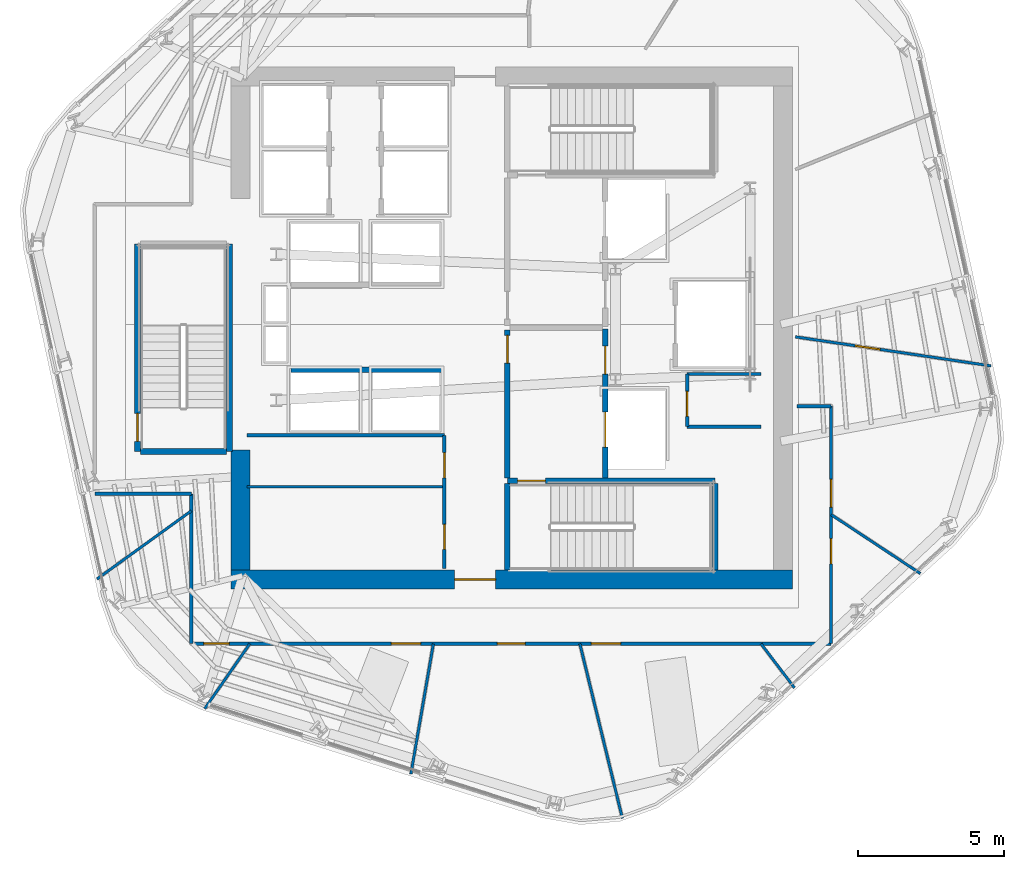
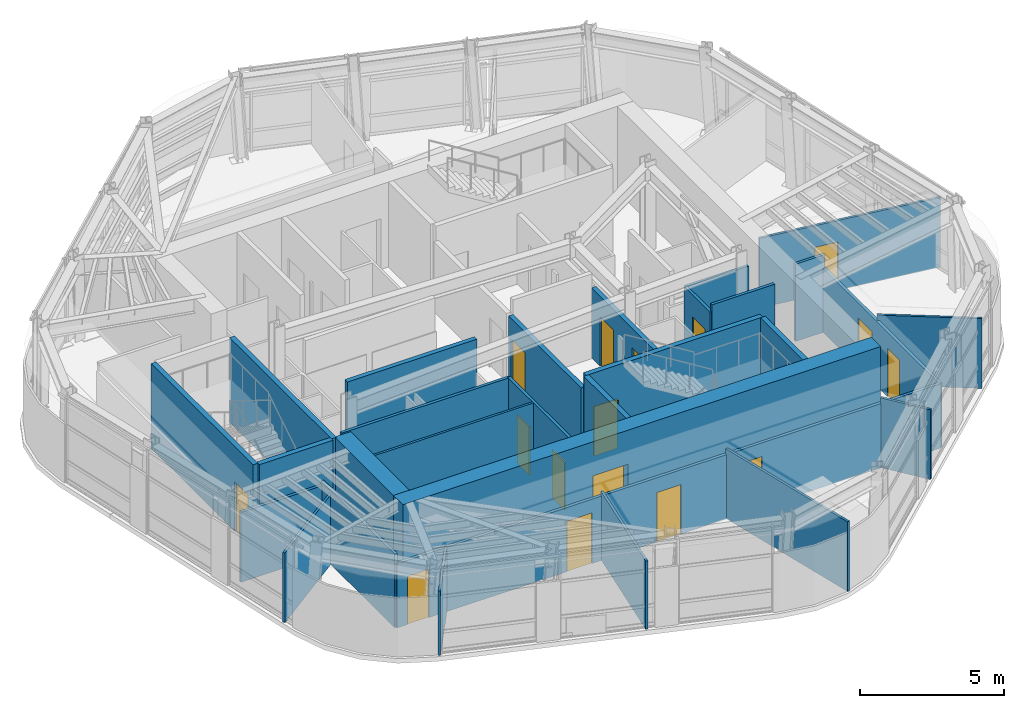
# One storey, part 8 of 15: 29 walls, 16 doors, 16 openings.
"""IFC4 building model written with IfcOpenShell, lengths in metres."""

from ifc_helpers import new_model, si_unit, direction, frame, frame_2d, origin, place, context, subcontext, project, spatial, rectangle, extrude, material, layer, layer_set, type_object, element, fill, save


model = new_model("IFC4")

# Units and contexts
model_context = context("Model", 3, precision=1e-05, world=origin(), true_north=direction((0.0, 1.0)))
body_context = subcontext(model_context, "Body", "Model", "MODEL_VIEW")
ifc_project = project(units=[si_unit("LENGTHUNIT", "METRE"), si_unit("AREAUNIT", "SQUARE_METRE"), si_unit("VOLUMEUNIT", "CUBIC_METRE"), si_unit("PLANEANGLEUNIT", "RADIAN"), si_unit("MASSUNIT", "GRAM", prefix="KILO")], contexts=[model_context])

# Site, building, storey
site_placement = place(None, origin())
site = spatial("IfcSite", under=ifc_project, at=site_placement, CompositionType="ELEMENT")
building_placement = place(site_placement, origin())
building = spatial("IfcBuilding", under=site, at=building_placement, Name="Valkerne Bourse Tower", CompositionType="ELEMENT")
storey_placement = place(building_placement, frame((0.0, 0.0, 205.60009765625)))
storey = spatial("IfcBuildingStorey", under=building, at=storey_placement, Name="L52", CompositionType="ELEMENT", Elevation=205.60009765625)

# Wall, opening, door
ifc_material_1 = material(Name="Concrete C55/67", Category="concrete")
ifc_layer_1 = layer(ifc_material_1, 0.64990234375)
ifc_layer_set_1 = layer_set([ifc_layer_1], Name="Concrete C55/67")
wall_type_1 = type_object("IfcWallType", Name="W-CORE-650", PredefinedType="SHEAR", material=ifc_layer_set_1)
wall_1_placement = place(storey_placement, frame((37.199951171875, 18.27490234375, 0.0), z_axis=(0.0, 0.0, 1.0), x_axis=(1.0, 0.0, 0.0)))
wall_1 = element("IfcWall", 1, at=wall_1_placement, inside=storey, type_object=wall_type_1, Name="L52 Core Shear Wall SOUTH", PredefinedType="SHEAR", context=body_context, shape_type="SweptSolid", body=[
    extrude(rectangle(XDim=19.199951171875, YDim=0.64990234375, at=frame_2d((9.60009765625, 0.0))), origin(), (0.0, 0.0, 1.0), 3.599853515625),
])
opening_1_placement = place(wall_1_placement, frame((7.64990234375, 0.0, 0.0)))
opening_1 = element("IfcOpeningElement", 2, at=opening_1_placement, cuts=wall_1, Name="Opening D-PL-1400", PredefinedType="OPENING", context=body_context, shape_type="SweptSolid", body=[
    extrude(rectangle(XDim=1.39990234375, YDim=2.14990234375, at=frame_2d((0.699951171875, 1.074951171875))), frame((0.0, 0.3349609375, 0.0), z_axis=(0.0, -1.0, 0.0), x_axis=(1.0, 0.0, 0.0)), (0.0, 0.0, 1.0), 0.669921875),
])
ifc_material_2 = material(Name="Galvanised Painted Steel", Category="steel")
door_type_1 = type_object("IfcDoorType", Name="DR-PLT-1400", OperationType="DOUBLE_DOOR_SINGLE_SWING", PredefinedType="DOOR", material=ifc_material_2)
door_1_placement = place(opening_1_placement, origin())
door_1 = element("IfcDoor", 3, at=door_1_placement, inside=storey, type_object=door_type_1, Name="L52 South Passenger Lift Hall Fire Door", OperationType="DOUBLE_DOOR_SINGLE_SWING", OverallHeight=2.14990234375, OverallWidth=1.39990234375, PredefinedType="DOOR", context=body_context, shape_type="SweptSolid", body=[
    extrude(rectangle(XDim=1.39990234375, YDim=2.14990234375, at=frame_2d((0.699951171875, 1.074951171875))), frame((0.0, 0.02490234375, 0.0), z_axis=(0.0, -1.0, 0.0), x_axis=(1.0, 0.0, 0.0)), (0.0, 0.0, 1.0), 0.050048828125),
])
fill(opening_1, door_1)

# Wall
wall_2_placement = place(storey_placement, frame((37.52490234375, 18.60009765625, 0.0), z_axis=(0.0, 0.0, 1.0), x_axis=(0.0, 1.0, 0.0)))
element("IfcWall", 4, at=wall_2_placement, inside=storey, type_object=wall_type_1, Name="L52 Core Shear Wall WEST-S", PredefinedType="SHEAR", context=body_context, shape_type="SweptSolid", body=[
    extrude(rectangle(XDim=4.099853515625, YDim=0.64990234375, at=frame_2d((2.0498046875, 0.0))), origin(), (0.0, 0.0, 1.0), 3.599853515625),
])

# Wall, openings, doors
ifc_material_3 = material(Name="Gypsum Board Steel-Stud Partition", Category="steel")
ifc_layer_2 = layer(ifc_material_3, 0.117919921875)
ifc_layer_set_2 = layer_set([ifc_layer_2], Name="Gypsum Board Steel-Stud Partition")
wall_type_2 = type_object("IfcWallType", Name="W-CORR-140", PredefinedType="PARTITIONING", material=ifc_layer_set_2)
wall_3_placement = place(storey_placement, frame((44.5, 18.64990234375, 0.0), z_axis=(0.0, 0.0, 1.0), x_axis=(0.0, 1.0, 0.0)))
wall_3 = element("IfcWall", 5, at=wall_3_placement, inside=storey, type_object=wall_type_2, Name="L52 LV7 Low-Bank East Wall", PredefinedType="PARTITIONING", context=body_context, shape_type="SweptSolid", body=[
    extrude(rectangle(XDim=4.550048828125, YDim=0.117919921875, at=frame_2d((2.27490234375, 0.0))), origin(), (0.0, 0.0, 1.0), 3.2998046875),
])
opening_2_placement = place(wall_3_placement, frame((0.64990234375, 0.0, 0.0)))
opening_2 = element("IfcOpeningElement", 6, at=opening_2_placement, cuts=wall_3, Name="Opening D-WC-900", PredefinedType="OPENING", context=body_context, shape_type="SweptSolid", body=[
    extrude(rectangle(XDim=0.860107421875, YDim=2.050048828125, at=frame_2d((0.43017578125, 1.02490234375))), frame((0.0, 0.06884765625, 0.0), z_axis=(0.0, -1.0, 0.0), x_axis=(1.0, 0.0, 0.0)), (0.0, 0.0, 1.0), 0.137939453125),
])
opening_3_placement = place(wall_3_placement, frame((3.10009765625, 0.0, 0.0)))
opening_3 = element("IfcOpeningElement", 7, at=opening_3_placement, cuts=wall_3, Name="Opening D-WC-900", PredefinedType="OPENING", context=body_context, shape_type="SweptSolid", body=[
    extrude(rectangle(XDim=0.860107421875, YDim=2.050048828125, at=frame_2d((0.43017578125, 1.02490234375))), frame((0.0, 0.06884765625, 0.0), z_axis=(0.0, -1.0, 0.0), x_axis=(1.0, 0.0, 0.0)), (0.0, 0.0, 1.0), 0.137939453125),
])
ifc_material_4 = material(Name="Architectural White Oak Timber", Category="wood")
door_type_2 = type_object("IfcDoorType", Name="DR-WC-900", OperationType="NOTDEFINED", PredefinedType="DOOR", material=ifc_material_4)
door_2_placement = place(opening_2_placement, origin())
door_2 = element("IfcDoor", 8, at=door_2_placement, inside=storey, type_object=door_type_2, Name="L52 Reprographics Office Door", OperationType="SINGLE_SWING_LEFT", OverallHeight=2.050048828125, OverallWidth=0.860107421875, PredefinedType="DOOR", context=body_context, shape_type="SweptSolid", body=[
    extrude(rectangle(XDim=0.860107421875, YDim=2.050048828125, at=frame_2d((0.43017578125, 1.02490234375))), frame((0.0, 0.02490234375, 0.0), z_axis=(0.0, -1.0, 0.0), x_axis=(1.0, 0.0, 0.0)), (0.0, 0.0, 1.0), 0.050048828125),
])
fill(opening_2, door_2)
door_3_placement = place(opening_3_placement, origin())
door_3 = element("IfcDoor", 9, at=door_3_placement, inside=storey, type_object=door_type_2, Name="L52 First Aid Clinic Door", OperationType="SINGLE_SWING_LEFT", OverallHeight=2.050048828125, OverallWidth=0.860107421875, PredefinedType="DOOR", context=body_context, shape_type="SweptSolid", body=[
    extrude(rectangle(XDim=0.860107421875, YDim=2.050048828125, at=frame_2d((0.43017578125, 1.02490234375))), frame((0.0, 0.02490234375, 0.0), z_axis=(0.0, -1.0, 0.0), x_axis=(1.0, 0.0, 0.0)), (0.0, 0.0, 1.0), 0.050048828125),
])
fill(opening_3, door_3)

# Wall
wall_4_placement = place(storey_placement, frame((37.75, 23.199951171875, 0.0), z_axis=(0.0, 0.0, 1.0), x_axis=(1.0, 0.0, 0.0)))
element("IfcWall", 10, at=wall_4_placement, inside=storey, type_object=wall_type_2, Name="L52 LV7 Low-Bank North Wall", PredefinedType="PARTITIONING", context=body_context, shape_type="SweptSolid", body=[
    extrude(rectangle(XDim=6.75, YDim=0.117919921875, at=frame_2d((3.375, 0.0))), origin(), (0.0, 0.0, 1.0), 3.2998046875),
])

# Wall, opening, door
wall_5_placement = place(storey_placement, frame((52.800048828125, 23.5, 0.0), z_axis=(0.0, 0.0, 1.0), x_axis=(0.0, 1.0, 0.0)))
wall_5 = element("IfcWall", 11, at=wall_5_placement, inside=storey, type_object=wall_type_2, Name="L52 Core SE North-Bay West Wall", PredefinedType="PARTITIONING", context=body_context, shape_type="SweptSolid", body=[
    extrude(rectangle(XDim=1.800048828125, YDim=0.117919921875, at=frame_2d((0.89990234375, 0.0))), origin(), (0.0, 0.0, 1.0), 2.977783203125),
])
opening_4_placement = place(wall_5_placement, frame((0.35009765625, 0.0, 0.0)))
opening_4 = element("IfcOpeningElement", 12, at=opening_4_placement, cuts=wall_5, Name="Opening D-WC-900", PredefinedType="OPENING", context=body_context, shape_type="SweptSolid", body=[
    extrude(rectangle(XDim=0.860107421875, YDim=2.050048828125, at=frame_2d((0.43017578125, 1.02490234375))), frame((0.0, 0.06884765625, 0.0), z_axis=(0.0, -1.0, 0.0), x_axis=(1.0, 0.0, 0.0)), (0.0, 0.0, 1.0), 0.137939453125),
])
door_4_placement = place(opening_4_placement, origin())
door_4 = element("IfcDoor", 13, at=door_4_placement, inside=storey, type_object=door_type_2, Name="L52 Telecom Closet Door", OperationType="SINGLE_SWING_LEFT", OverallHeight=2.050048828125, OverallWidth=0.860107421875, PredefinedType="DOOR", context=body_context, shape_type="SweptSolid", body=[
    extrude(rectangle(XDim=0.860107421875, YDim=2.050048828125, at=frame_2d((0.43017578125, 1.02490234375))), frame((0.0, 0.02490234375, 0.0), z_axis=(0.0, -1.0, 0.0), x_axis=(1.0, 0.0, 0.0)), (0.0, 0.0, 1.0), 0.050048828125),
])
fill(opening_4, door_4)

# Walls
wall_6_placement = place(storey_placement, frame((52.800048828125, 23.5, 0.0), z_axis=(0.0, 0.0, 1.0), x_axis=(1.0, 0.0, 0.0)))
element("IfcWall", 14, at=wall_6_placement, inside=storey, type_object=wall_type_2, Name="L52 Core SE North-Bay South Wall", PredefinedType="PARTITIONING", context=body_context, shape_type="SweptSolid", body=[
    extrude(rectangle(XDim=2.52001953125, YDim=0.117919921875, at=frame_2d((1.260009765625, 0.0))), origin(), (0.0, 0.0, 1.0), 3.2998046875),
])
wall_7_placement = place(storey_placement, frame((52.800048828125, 25.300048828125, 0.0), z_axis=(0.0, 0.0, 1.0), x_axis=(1.0, 0.0, 0.0)))
element("IfcWall", 15, at=wall_7_placement, inside=storey, type_object=wall_type_2, Name="L52 Core SE North-Bay North Wall", PredefinedType="PARTITIONING", context=body_context, shape_type="SweptSolid", body=[
    extrude(rectangle(XDim=2.52001953125, YDim=0.117919921875, at=frame_2d((1.260009765625, 0.0))), origin(), (0.0, 0.0, 1.0), 2.977783203125),
])
wall_8_placement = place(storey_placement, frame((35.85009765625, 16.080078125, 0.0), z_axis=(0.0, 0.0, 1.0), x_axis=(0.0, 1.0, 0.0)))
element("IfcWall", 16, at=wall_8_placement, inside=storey, type_object=wall_type_2, Name="L52 Corridor Enclosure Wall", PredefinedType="PARTITIONING", context=body_context, shape_type="SweptSolid", body=[
    extrude(rectangle(XDim=5.119873046875, YDim=0.117919921875, at=frame_2d((2.56005859375, 0.0))), origin(), (0.0, 0.0, 1.0), 3.1328125),
])
wall_9_placement = place(storey_placement, frame((35.85009765625, 21.199951171875, 0.0), z_axis=(0.0, 0.0, 1.0), x_axis=(-1.0, 0.0, 0.0)))
element("IfcWall", 17, at=wall_9_placement, inside=storey, type_object=wall_type_2, Name="L52 Corridor Enclosure Wall", PredefinedType="PARTITIONING", context=body_context, shape_type="SweptSolid", body=[
    extrude(rectangle(XDim=3.300048828125, YDim=0.117919921875, at=frame_2d((1.64990234375, 0.0))), origin(), (0.0, 0.0, 1.0), 2.96240234375),
])
wall_10_placement = place(storey_placement, frame((56.56005859375, 24.199951171875, 0.0), z_axis=(0.0, 0.0, 1.0), x_axis=(1.0, 0.0, 0.0)))
element("IfcWall", 18, at=wall_10_placement, inside=storey, type_object=wall_type_2, Name="L52 Corridor Enclosure Wall", PredefinedType="PARTITIONING", context=body_context, shape_type="SweptSolid", body=[
    extrude(rectangle(XDim=1.159912109375, YDim=0.117919921875, at=frame_2d((0.580078125, 0.0))), origin(), (0.0, 0.0, 1.0), 3.27978515625),
])

# Wall, openings, doors
wall_11_placement = place(storey_placement, frame((57.719970703125, 24.199951171875, 0.0), z_axis=(0.0, 0.0, 1.0), x_axis=(0.0, -1.0, 0.0)))
wall_11 = element("IfcWall", 19, at=wall_11_placement, inside=storey, type_object=wall_type_2, Name="L52 Corridor Enclosure Wall", PredefinedType="PARTITIONING", context=body_context, shape_type="SweptSolid", body=[
    extrude(rectangle(XDim=8.119873046875, YDim=0.117919921875, at=frame_2d((4.06005859375, 0.0))), origin(), (0.0, 0.0, 1.0), 2.7314453125),
])
opening_5_placement = place(wall_11_placement, frame((4.530029296875, 0.0, 0.0)))
opening_5 = element("IfcOpeningElement", 20, at=opening_5_placement, cuts=wall_11, Name="Opening D-WC-900", PredefinedType="OPENING", context=body_context, shape_type="SweptSolid", body=[
    extrude(rectangle(XDim=0.860107421875, YDim=2.050048828125, at=frame_2d((0.43017578125, 1.02490234375))), frame((0.0, 0.06884765625, 0.0), z_axis=(0.0, -1.0, 0.0), x_axis=(1.0, 0.0, 0.0)), (0.0, 0.0, 1.0), 0.137939453125),
])
opening_6_placement = place(wall_11_placement, frame((2.5048828125, 0.0, 0.0)))
opening_6 = element("IfcOpeningElement", 21, at=opening_6_placement, cuts=wall_11, Name="Opening D-OF-950", PredefinedType="OPENING", context=body_context, shape_type="SweptSolid", body=[
    extrude(rectangle(XDim=0.949951171875, YDim=2.10009765625, at=frame_2d((0.47509765625, 1.050048828125))), frame((0.0, 0.06884765625, 0.0), z_axis=(0.0, -1.0, 0.0), x_axis=(1.0, 0.0, 0.0)), (0.0, 0.0, 1.0), 0.137939453125),
])
door_type_3 = type_object("IfcDoorType", Name="DR-OFF-950", OperationType="NOTDEFINED", PredefinedType="DOOR", material=ifc_material_4)
door_5_placement = place(opening_6_placement, origin())
door_5 = element("IfcDoor", 22, at=door_5_placement, inside=storey, type_object=door_type_3, Name="L52 L52 Occupational Wellness Clinic 6 Door", OperationType="SINGLE_SWING_RIGHT", OverallHeight=2.10009765625, OverallWidth=0.949951171875, PredefinedType="DOOR", context=body_context, shape_type="SweptSolid", body=[
    extrude(rectangle(XDim=0.949951171875, YDim=2.10009765625, at=frame_2d((0.47509765625, 1.050048828125))), frame((0.0, 0.02490234375, 0.0), z_axis=(0.0, -1.0, 0.0), x_axis=(1.0, 0.0, 0.0)), (0.0, 0.0, 1.0), 0.050048828125),
])
fill(opening_6, door_5)
door_6_placement = place(opening_5_placement, origin())
door_6 = element("IfcDoor", 23, at=door_6_placement, inside=storey, type_object=door_type_2, Name="L52 L52 Men Bathroom WC 1 Door", OperationType="SINGLE_SWING_LEFT", OverallHeight=2.050048828125, OverallWidth=0.860107421875, PredefinedType="DOOR", context=body_context, shape_type="SweptSolid", body=[
    extrude(rectangle(XDim=0.860107421875, YDim=2.050048828125, at=frame_2d((0.43017578125, 1.02490234375))), frame((0.0, 0.02490234375, 0.0), z_axis=(0.0, -1.0, 0.0), x_axis=(1.0, 0.0, 0.0)), (0.0, 0.0, 1.0), 0.050048828125),
])
fill(opening_5, door_6)

wall_12_placement = place(storey_placement, frame((57.719970703125, 16.080078125, 0.0), z_axis=(0.0, 0.0, 1.0), x_axis=(-1.0, 0.0, 0.0)))
wall_12 = element("IfcWall", 24, at=wall_12_placement, inside=storey, type_object=wall_type_2, Name="L52 Corridor Enclosure Wall", PredefinedType="PARTITIONING", context=body_context, shape_type="SweptSolid", body=[
    extrude(rectangle(XDim=21.869873046875, YDim=0.117919921875, at=frame_2d((10.93505859375, 0.0))), origin(), (0.0, 0.0, 1.0), 2.7314453125),
])
opening_7_placement = place(wall_12_placement, frame((20.5849609375, 0.0, 0.0)))
opening_7 = element("IfcOpeningElement", 25, at=opening_7_placement, cuts=wall_12, Name="Opening D-WC-900", PredefinedType="OPENING", context=body_context, shape_type="SweptSolid", body=[
    extrude(rectangle(XDim=0.860107421875, YDim=2.050048828125, at=frame_2d((0.43017578125, 1.02490234375))), frame((0.0, 0.06884765625, 0.0), z_axis=(0.0, -1.0, 0.0), x_axis=(1.0, 0.0, 0.0)), (0.0, 0.0, 1.0), 0.137939453125),
])
opening_8_placement = place(wall_12_placement, frame((14.034912109375, 0.0, 0.0)))
opening_8 = element("IfcOpeningElement", 26, at=opening_8_placement, cuts=wall_12, Name="Opening D-MG-1000", PredefinedType="OPENING", context=body_context, shape_type="SweptSolid", body=[
    extrude(rectangle(XDim=1.0, YDim=2.14990234375, at=frame_2d((0.5, 1.074951171875))), frame((0.0, 0.06884765625, 0.0), z_axis=(0.0, -1.0, 0.0), x_axis=(1.0, 0.0, 0.0)), (0.0, 0.0, 1.0), 0.137939453125),
])
opening_9_placement = place(wall_12_placement, frame((7.195068359375, 0.0, 0.0)))
opening_9 = element("IfcOpeningElement", 27, at=opening_9_placement, cuts=wall_12, Name="Opening D-MG-1000", PredefinedType="OPENING", context=body_context, shape_type="SweptSolid", body=[
    extrude(rectangle(XDim=1.0, YDim=2.14990234375, at=frame_2d((0.5, 1.074951171875))), frame((0.0, 0.06884765625, 0.0), z_axis=(0.0, -1.0, 0.0), x_axis=(1.0, 0.0, 0.0)), (0.0, 0.0, 1.0), 0.137939453125),
])
opening_10_placement = place(wall_12_placement, frame((10.4599609375, 0.0, 0.0)))
opening_10 = element("IfcOpeningElement", 28, at=opening_10_placement, cuts=wall_12, Name="Opening D-OF-950", PredefinedType="OPENING", context=body_context, shape_type="SweptSolid", body=[
    extrude(rectangle(XDim=0.949951171875, YDim=2.10009765625, at=frame_2d((0.47509765625, 1.050048828125))), frame((0.0, 0.06884765625, 0.0), z_axis=(0.0, -1.0, 0.0), x_axis=(1.0, 0.0, 0.0)), (0.0, 0.0, 1.0), 0.137939453125),
])
ifc_material_5 = material(Name="Laminated Tempered Safety Glass", Category="glass")
door_type_4 = type_object("IfcDoorType", Name="DR-MTG-1000", OperationType="NOTDEFINED", PredefinedType="DOOR", material=ifc_material_5)
door_7_placement = place(opening_8_placement, origin())
door_7 = element("IfcDoor", 29, at=door_7_placement, inside=storey, type_object=door_type_4, Name="L52 L52 Client Strategy Conference Room 3 Door", OperationType="SINGLE_SWING_RIGHT", OverallHeight=2.14990234375, OverallWidth=1.0, PredefinedType="DOOR", context=body_context, shape_type="SweptSolid", body=[
    extrude(rectangle(XDim=1.0, YDim=2.14990234375, at=frame_2d((0.5, 1.074951171875))), frame((0.0, 0.02490234375, 0.0), z_axis=(0.0, -1.0, 0.0), x_axis=(1.0, 0.0, 0.0)), (0.0, 0.0, 1.0), 0.050048828125),
])
fill(opening_8, door_7)
door_8_placement = place(opening_9_placement, origin())
door_8 = element("IfcDoor", 30, at=door_8_placement, inside=storey, type_object=door_type_4, Name="L52 L52 Client Strategy Conference Room 4 Door", OperationType="SINGLE_SWING_RIGHT", OverallHeight=2.14990234375, OverallWidth=1.0, PredefinedType="DOOR", context=body_context, shape_type="SweptSolid", body=[
    extrude(rectangle(XDim=1.0, YDim=2.14990234375, at=frame_2d((0.5, 1.074951171875))), frame((0.0, 0.02490234375, 0.0), z_axis=(0.0, -1.0, 0.0), x_axis=(1.0, 0.0, 0.0)), (0.0, 0.0, 1.0), 0.050048828125),
])
fill(opening_9, door_8)
door_9_placement = place(opening_10_placement, origin())
door_9 = element("IfcDoor", 31, at=door_9_placement, inside=storey, type_object=door_type_3, Name="L52 L52 Occupational Wellness Clinic 5 Door", OperationType="SINGLE_SWING_RIGHT", OverallHeight=2.10009765625, OverallWidth=0.949951171875, PredefinedType="DOOR", context=body_context, shape_type="SweptSolid", body=[
    extrude(rectangle(XDim=0.949951171875, YDim=2.10009765625, at=frame_2d((0.47509765625, 1.050048828125))), frame((0.0, 0.02490234375, 0.0), z_axis=(0.0, -1.0, 0.0), x_axis=(1.0, 0.0, 0.0)), (0.0, 0.0, 1.0), 0.050048828125),
])
fill(opening_10, door_9)
door_10_placement = place(opening_7_placement, origin())
door_10 = element("IfcDoor", 32, at=door_10_placement, inside=storey, type_object=door_type_2, Name="L52 L52 Women Restroom & Shower WC 2 Door", OperationType="SINGLE_SWING_RIGHT", OverallHeight=2.050048828125, OverallWidth=0.860107421875, PredefinedType="DOOR", context=body_context, shape_type="SweptSolid", body=[
    extrude(rectangle(XDim=0.860107421875, YDim=2.050048828125, at=frame_2d((0.43017578125, 1.02490234375))), frame((0.0, 0.02490234375, 0.0), z_axis=(0.0, -1.0, 0.0), x_axis=(1.0, 0.0, 0.0)), (0.0, 0.0, 1.0), 0.050048828125),
])
fill(opening_7, door_10)

# Wall, opening, door
ifc_material_6 = material(Name="Gypsum Fire-Rated Shaftwall", Category="gypsum")
ifc_layer_3 = layer(ifc_material_6, 0.179931640625)
ifc_layer_set_3 = layer_set([ifc_layer_3], Name="Gypsum Fire-Rated Shaftwall")
wall_type_3 = type_object("IfcWallType", Name="W-FSAE-180", PredefinedType="PARTITIONING", material=ifc_layer_set_3)
wall_13_placement = place(storey_placement, frame((46.64990234375, 21.75, 0.0), z_axis=(0.0, 0.0, 1.0), x_axis=(0.0, 1.0, 0.0)))
wall_13 = element("IfcWall", 33, at=wall_13_placement, inside=storey, type_object=wall_type_3, Name="L52 FSAE-1 Lobby West Fire Wall", PredefinedType="PARTITIONING", context=body_context, shape_type="SweptSolid", body=[
    extrude(rectangle(XDim=5.050048828125, YDim=0.179931640625, at=frame_2d((2.52490234375, 0.0))), origin(), (0.0, 0.0, 1.0), 2.977783203125),
])
opening_11_placement = place(wall_13_placement, frame((3.919921875, 0.0, 0.0)))
opening_11 = element("IfcOpeningElement", 34, at=opening_11_placement, cuts=wall_13, Name="Opening D-FS-950", PredefinedType="OPENING", context=body_context, shape_type="SweptSolid", body=[
    extrude(rectangle(XDim=0.949951171875, YDim=2.10009765625, at=frame_2d((0.47509765625, 1.050048828125))), frame((0.0, 0.099853515625, 0.0), z_axis=(0.0, -1.0, 0.0), x_axis=(1.0, 0.0, 0.0)), (0.0, 0.0, 1.0), 0.199951171875),
])
door_type_5 = type_object("IfcDoorType", Name="DR-FSAE-950", OperationType="NOTDEFINED", PredefinedType="DOOR", material=ifc_material_2)
door_11_placement = place(opening_11_placement, origin())
door_11 = element("IfcDoor", 35, at=door_11_placement, inside=storey, type_object=door_type_5, Name="L52 FSAE-1 Hall Link Fire Door", OperationType="SINGLE_SWING_RIGHT", OverallHeight=2.10009765625, OverallWidth=0.949951171875, PredefinedType="DOOR", context=body_context, shape_type="SweptSolid", body=[
    extrude(rectangle(XDim=0.949951171875, YDim=2.10009765625, at=frame_2d((0.47509765625, 1.050048828125))), frame((0.0, 0.02490234375, 0.0), z_axis=(0.0, -1.0, 0.0), x_axis=(1.0, 0.0, 0.0)), (0.0, 0.0, 1.0), 0.050048828125),
])
fill(opening_11, door_11)

# Wall, openings, doors
wall_14_placement = place(storey_placement, frame((50.0, 21.75, 0.0), z_axis=(0.0, 0.0, 1.0), x_axis=(0.0, 1.0, 0.0)))
wall_14 = element("IfcWall", 36, at=wall_14_placement, inside=storey, type_object=wall_type_3, Name="L52 FSAE-1 Lobby & Shaft Front Wall", PredefinedType="PARTITIONING", context=body_context, shape_type="SweptSolid", body=[
    extrude(rectangle(XDim=5.090087890625, YDim=0.179931640625, at=frame_2d((2.544921875, 0.0))), origin(), (0.0, 0.0, 1.0), 2.977783203125),
])
opening_12_placement = place(wall_14_placement, frame((1.050048828125, 0.0, 0.0)))
opening_12 = element("IfcOpeningElement", 37, at=opening_12_placement, cuts=wall_14, Name="Opening LD-1200", PredefinedType="OPENING", context=body_context, shape_type="SweptSolid", body=[
    extrude(rectangle(XDim=1.199951171875, YDim=2.14990234375, at=frame_2d((0.60009765625, 1.074951171875))), frame((0.0, 0.099853515625, 0.0), z_axis=(0.0, -1.0, 0.0), x_axis=(1.0, 0.0, 0.0)), (0.0, 0.0, 1.0), 0.199951171875),
])
opening_13_placement = place(wall_14_placement, frame((3.550048828125, 0.0, 0.0)))
opening_13 = element("IfcOpeningElement", 38, at=opening_13_placement, cuts=wall_14, Name="Opening D-FS-950", PredefinedType="OPENING", context=body_context, shape_type="SweptSolid", body=[
    extrude(rectangle(XDim=0.949951171875, YDim=2.10009765625, at=frame_2d((0.47509765625, 1.050048828125))), frame((0.0, 0.099853515625, 0.0), z_axis=(0.0, -1.0, 0.0), x_axis=(1.0, 0.0, 0.0)), (0.0, 0.0, 1.0), 0.199951171875),
])
door_12_placement = place(opening_13_placement, origin())
door_12 = element("IfcDoor", 39, at=door_12_placement, inside=storey, type_object=door_type_5, Name="L52 FSAE-1 Lobby Corridor Fire Door", OperationType="SINGLE_SWING_LEFT", OverallHeight=2.10009765625, OverallWidth=0.949951171875, PredefinedType="DOOR", context=body_context, shape_type="SweptSolid", body=[
    extrude(rectangle(XDim=0.949951171875, YDim=2.10009765625, at=frame_2d((0.47509765625, 1.050048828125))), frame((0.0, 0.02490234375, 0.0), z_axis=(0.0, -1.0, 0.0), x_axis=(1.0, 0.0, 0.0)), (0.0, 0.0, 1.0), 0.050048828125),
])
fill(opening_13, door_12)
ifc_material_7 = material(Name="Stainless Steel AISI 316", Category="steel")
door_type_6 = type_object("IfcDoorType", Name="DR-LIFT-1200", OperationType="DOUBLE_DOOR_SLIDING", PredefinedType="DOOR", material=ifc_material_7)
door_13_placement = place(opening_12_placement, origin())
door_13 = element("IfcDoor", 40, at=door_13_placement, inside=storey, type_object=door_type_6, Name="L52 FSAE-1 Firefighting Lift Landing Door", OperationType="DOUBLE_DOOR_SLIDING", OverallHeight=2.14990234375, OverallWidth=1.199951171875, PredefinedType="DOOR", context=body_context, shape_type="SweptSolid", body=[
    extrude(rectangle(XDim=1.199951171875, YDim=2.14990234375, at=frame_2d((0.60009765625, 1.074951171875))), frame((0.0, 0.02490234375, 0.0), z_axis=(0.0, -1.0, 0.0), x_axis=(1.0, 0.0, 0.0)), (0.0, 0.0, 1.0), 0.050048828125),
])
fill(opening_12, door_13)

# Walls
ifc_material_8 = material(Name="CMU Blockwork Masonry 200mm", Category="masonry")
ifc_layer_4 = layer(ifc_material_8, 0.179931640625)
ifc_layer_set_4 = layer_set([ifc_layer_4], Name="CMU Blockwork Masonry 200mm")
wall_type_4 = type_object("IfcWallType", Name="W-LFT-180", PredefinedType="SOLIDWALL", material=ifc_layer_set_4)
wall_15_placement = place(storey_placement, frame((39.25, 25.449951171875, 0.0), z_axis=(0.0, 0.0, 1.0), x_axis=(1.0, 0.0, 0.0)))
element("IfcWall", 41, at=wall_15_placement, inside=storey, type_object=wall_type_4, Name="L52 High-Zone South Cars Front Wall", PredefinedType="SOLIDWALL", context=body_context, shape_type="SweptSolid", body=[
    extrude(rectangle(XDim=5.199951171875, YDim=0.179931640625, at=frame_2d((2.60009765625, 0.0))), origin(), (0.0, 0.0, 1.0), 3.599853515625),
])
ifc_layer_5 = layer(ifc_material_3, 0.092041015625)
ifc_layer_set_5 = layer_set([ifc_layer_5], Name="Gypsum Board Steel-Stud Partition")
wall_type_5 = type_object("IfcWallType", Name="W-PART-115", PredefinedType="PARTITIONING", material=ifc_layer_set_5)
wall_16_placement = place(storey_placement, frame((37.75, 21.43994140625, 0.0), z_axis=(0.0, 0.0, 1.0), x_axis=(1.0, 0.0, 0.0)))
element("IfcWall", 42, at=wall_16_placement, inside=storey, type_object=wall_type_5, Name="L52 LV7 Low-Bank Sub-Divider", PredefinedType="PARTITIONING", context=body_context, shape_type="SweptSolid", body=[
    extrude(rectangle(XDim=6.75, YDim=0.092041015625, at=frame_2d((3.375, 0.0))), origin(), (0.0, 0.0, 1.0), 3.2998046875),
])
wall_17_placement = place(storey_placement, frame((44.122802734375, 16.074951171875, 0.0), z_axis=(0.0, 0.0, 1.0), x_axis=(-0.1701763844, -0.985413617824, 0.0)))
element("IfcWall", 43, at=wall_17_placement, inside=storey, type_object=wall_type_5, Name="L52 Suite Partition P01", PredefinedType="PARTITIONING", context=body_context, shape_type="SweptSolid", body=[
    extrude(rectangle(XDim=4.5205078125, YDim=0.092041015625, at=frame_2d((2.26025390625, 0.0))), origin(), (0.0, 0.0, 1.0), 2.896484375),
])
wall_18_placement = place(storey_placement, frame((49.13134765625, 16.074951171875, 0.0), z_axis=(0.0, 0.0, 1.0), x_axis=(0.236845466066, -0.971547335545, 0.0)))
element("IfcWall", 44, at=wall_18_placement, inside=storey, type_object=wall_type_5, Name="L52 Suite Partition P02", PredefinedType="PARTITIONING", context=body_context, shape_type="SweptSolid", body=[
    extrude(rectangle(XDim=6.142578125, YDim=0.092041015625, at=frame_2d((3.0712890625, 0.0))), origin(), (0.0, 0.0, 1.0), 2.96240234375),
])
wall_19_placement = place(storey_placement, frame((55.327392578125, 16.074951171875, 0.0), z_axis=(0.0, 0.0, 1.0), x_axis=(0.604604411602, -0.796525897552, 0.0)))
element("IfcWall", 45, at=wall_19_placement, inside=storey, type_object=wall_type_5, Name="L52 Suite Partition P03", PredefinedType="PARTITIONING", context=body_context, shape_type="SweptSolid", body=[
    extrude(rectangle(XDim=1.8876953125, YDim=0.092041015625, at=frame_2d((0.94384765625, 0.0))), origin(), (0.0, 0.0, 1.0), 2.96240234375),
])
wall_20_placement = place(storey_placement, frame((57.72509765625, 20.4912109375, 0.0), z_axis=(0.0, 0.0, 1.0), x_axis=(0.834518500896, -0.550979919473, 0.0)))
element("IfcWall", 46, at=wall_20_placement, inside=storey, type_object=wall_type_5, Name="L52 Suite Partition P04", PredefinedType="PARTITIONING", context=body_context, shape_type="SweptSolid", body=[
    extrude(rectangle(XDim=3.6552734375, YDim=0.092041015625, at=frame_2d((1.82763671875, 0.0))), origin(), (0.0, 0.0, 1.0), 2.96240234375),
])

# Wall, opening, door
wall_21_placement = place(storey_placement, frame((56.5, 26.5712890625, 0.0), z_axis=(0.0, 0.0, 1.0), x_axis=(0.989161357492, -0.146832587814, 0.0)))
wall_21 = element("IfcWall", 47, at=wall_21_placement, inside=storey, type_object=wall_type_5, Name="L52 Suite Partition P05", PredefinedType="PARTITIONING", context=body_context, shape_type="SweptSolid", body=[
    extrude(rectangle(XDim=6.76220703125, YDim=0.092041015625, at=frame_2d((3.381103515625, 0.0))), origin(), (0.0, 0.0, 1.0), 2.96240234375),
])
opening_14_placement = place(wall_21_placement, frame((2.06591796875, 0.0, 0.0)))
opening_14 = element("IfcOpeningElement", 48, at=opening_14_placement, cuts=wall_21, Name="Opening D-WC-900", PredefinedType="OPENING", context=body_context, shape_type="SweptSolid", body=[
    extrude(rectangle(XDim=0.860107421875, YDim=2.050048828125, at=frame_2d((0.43017578125, 1.02490234375))), frame((0.0, 0.055908203125, 0.0), z_axis=(0.0, -1.0, 0.0), x_axis=(1.0, 0.0, 0.0)), (0.0, 0.0, 1.0), 0.112060546875),
])
door_14_placement = place(opening_14_placement, origin())
door_14 = element("IfcDoor", 49, at=door_14_placement, inside=storey, type_object=door_type_2, Name="L52 L52 Hospitality Catering Kitchen 8 Suite Door", OperationType="SINGLE_SWING_RIGHT", OverallHeight=2.050048828125, OverallWidth=0.860107421875, PredefinedType="DOOR", context=body_context, shape_type="SweptSolid", body=[
    extrude(rectangle(XDim=0.860107421875, YDim=2.050048828125, at=frame_2d((0.43017578125, 1.02490234375))), frame((0.0, 0.02490234375, 0.0), z_axis=(0.0, -1.0, 0.0), x_axis=(1.0, 0.0, 0.0)), (0.0, 0.0, 1.0), 0.050048828125),
])
fill(opening_14, door_14)

# Walls
wall_22_placement = place(storey_placement, frame((35.844970703125, 20.6201171875, 0.0), z_axis=(0.0, 0.0, 1.0), x_axis=(-0.810612895891, -0.585582387897, 0.0)))
element("IfcWall", 50, at=wall_22_placement, inside=storey, type_object=wall_type_5, Name="L52 Suite Partition P09", PredefinedType="PARTITIONING", context=body_context, shape_type="SweptSolid", body=[
    extrude(rectangle(XDim=3.9794921875, YDim=0.092041015625, at=frame_2d((1.98974609375, 0.0))), origin(), (0.0, 0.0, 1.0), 2.96240234375),
])
wall_23_placement = place(storey_placement, frame((37.845458984375, 16.074951171875, 0.0), z_axis=(0.0, 0.0, 1.0), x_axis=(-0.570558446162, -0.821256999674, 0.0)))
element("IfcWall", 51, at=wall_23_placement, inside=storey, type_object=wall_type_5, Name="L52 Suite Partition P10", PredefinedType="PARTITIONING", context=body_context, shape_type="SweptSolid", body=[
    extrude(rectangle(XDim=2.700439453125, YDim=0.092041015625, at=frame_2d((1.35009765625, 0.0))), origin(), (0.0, 0.0, 1.0), 2.7314453125),
])

# Wall, opening, door
ifc_material_9 = material(Name="Concrete C40/50", Category="concrete")
ifc_layer_6 = layer(ifc_material_9, 0.199951171875)
ifc_layer_set_6 = layer_set([ifc_layer_6], Name="Concrete C40/50")
wall_type_6 = type_object("IfcWallType", Name="W-SHF-200", PredefinedType="SHEAR", material=ifc_layer_set_6)
wall_24_placement = place(storey_placement, frame((46.64990234375, 21.64990234375, 0.0), z_axis=(0.0, 0.0, 1.0), x_axis=(1.0, 0.0, 0.0)))
wall_24 = element("IfcWall", 52, at=wall_24_placement, inside=storey, type_object=wall_type_6, Name="L52 Exit Stair ST-1 Structural Shaft Wall North", PredefinedType="SHEAR", context=body_context, shape_type="SweptSolid", body=[
    extrude(rectangle(XDim=7.10009765625, YDim=0.199951171875, at=frame_2d((3.550048828125, 0.0))), origin(), (0.0, 0.0, 1.0), 3.599853515625),
])
opening_15_placement = place(wall_24_placement, frame((0.35009765625, 0.0, 0.0)))
opening_15 = element("IfcOpeningElement", 53, at=opening_15_placement, cuts=wall_24, Name="Opening D-ST-950", PredefinedType="OPENING", context=body_context, shape_type="SweptSolid", body=[
    extrude(rectangle(XDim=0.949951171875, YDim=2.10009765625, at=frame_2d((0.47509765625, 1.050048828125))), frame((0.0, 0.10986328125, 0.0), z_axis=(0.0, -1.0, 0.0), x_axis=(1.0, 0.0, 0.0)), (0.0, 0.0, 1.0), 0.219970703125),
])
door_type_7 = type_object("IfcDoorType", Name="DR-STAIR-950", OperationType="NOTDEFINED", PredefinedType="DOOR", material=ifc_material_2)
door_15_placement = place(opening_15_placement, origin())
door_15 = element("IfcDoor", 54, at=door_15_placement, inside=storey, type_object=door_type_7, Name="L52 Exit Stair ST-1 Door", OperationType="SINGLE_SWING_RIGHT", OverallHeight=2.10009765625, OverallWidth=0.949951171875, PredefinedType="DOOR", context=body_context, shape_type="SweptSolid", body=[
    extrude(rectangle(XDim=0.949951171875, YDim=2.10009765625, at=frame_2d((0.47509765625, 1.050048828125))), frame((0.0, 0.02490234375, 0.0), z_axis=(0.0, -1.0, 0.0), x_axis=(1.0, 0.0, 0.0)), (0.0, 0.0, 1.0), 0.050048828125),
])
fill(opening_15, door_15)

# Walls
for number, where, z_axis, x_axis, name in (
    (55, (46.64990234375, 18.60009765625, 0.0), (0.0, 0.0, 1.0), (0.0, 1.0, 0.0), "L52 Exit Stair ST-1 Structural Shaft Wall West"),
    (56, (53.75, 18.60009765625, 0.0), (0.0, 0.0, 1.0), (0.0, 1.0, 0.0), "L52 Exit Stair ST-1 Structural Shaft Wall East"),
):
    element("IfcWall", number, at=place(storey_placement, frame(where, z_axis=z_axis, x_axis=x_axis)), inside=storey, type_object=wall_type_6, Name=name, PredefinedType="SHEAR", context=body_context, shape_type="SweptSolid", body=[
        extrude(rectangle(XDim=2.949951171875, YDim=0.199951171875, at=frame_2d((1.47509765625, 0.0))), origin(), (0.0, 0.0, 1.0), 3.599853515625),
    ])

# Wall, opening, door
wall_25_placement = place(storey_placement, frame((34.0, 22.64990234375, 0.0), z_axis=(0.0, 0.0, 1.0), x_axis=(0.0, 1.0, 0.0)))
wall_25 = element("IfcWall", 57, at=wall_25_placement, inside=storey, type_object=wall_type_6, Name="L52 Exit Stair ST-3 Structural Shaft Wall West", PredefinedType="SHEAR", context=body_context, shape_type="SweptSolid", body=[
    extrude(rectangle(XDim=7.10009765625, YDim=0.199951171875, at=frame_2d((3.550048828125, 0.0))), origin(), (0.0, 0.0, 1.0), 3.599853515625),
])
opening_16_placement = place(wall_25_placement, frame((0.35009765625, 0.0, 0.0)))
opening_16 = element("IfcOpeningElement", 58, at=opening_16_placement, cuts=wall_25, Name="Opening D-ST-950", PredefinedType="OPENING", context=body_context, shape_type="SweptSolid", body=[
    extrude(rectangle(XDim=0.949951171875, YDim=2.10009765625, at=frame_2d((0.47509765625, 1.050048828125))), frame((0.0, 0.10986328125, 0.0), z_axis=(0.0, -1.0, 0.0), x_axis=(1.0, 0.0, 0.0)), (0.0, 0.0, 1.0), 0.219970703125),
])
door_16_placement = place(opening_16_placement, origin())
door_16 = element("IfcDoor", 59, at=door_16_placement, inside=storey, type_object=door_type_7, Name="L52 Exit Stair ST-3 Door", OperationType="SINGLE_SWING_RIGHT", OverallHeight=2.10009765625, OverallWidth=0.949951171875, PredefinedType="DOOR", context=body_context, shape_type="SweptSolid", body=[
    extrude(rectangle(XDim=0.949951171875, YDim=2.10009765625, at=frame_2d((0.47509765625, 1.050048828125))), frame((0.0, 0.02490234375, 0.0), z_axis=(0.0, -1.0, 0.0), x_axis=(1.0, 0.0, 0.0)), (0.0, 0.0, 1.0), 0.050048828125),
])
fill(opening_16, door_16)

# Walls
wall_26_placement = place(storey_placement, frame((34.10009765625, 22.64990234375, 0.0), z_axis=(0.0, 0.0, 1.0), x_axis=(1.0, 0.0, 0.0)))
element("IfcWall", 60, at=wall_26_placement, inside=storey, type_object=wall_type_6, Name="L52 Exit Stair ST-3 Structural Shaft Wall South", PredefinedType="SHEAR", context=body_context, shape_type="SweptSolid", body=[
    extrude(rectangle(XDim=2.949951171875, YDim=0.199951171875, at=frame_2d((1.47509765625, 0.0))), origin(), (0.0, 0.0, 1.0), 3.599853515625),
])
wall_27_placement = place(storey_placement, frame((37.14990234375, 22.64990234375, 0.0), z_axis=(0.0, 0.0, 1.0), x_axis=(0.0, 1.0, 0.0)))
element("IfcWall", 61, at=wall_27_placement, inside=storey, type_object=wall_type_6, Name="L52 Exit Stair ST-3 Structural Shaft Wall East", PredefinedType="SHEAR", context=body_context, shape_type="SweptSolid", body=[
    extrude(rectangle(XDim=7.10009765625, YDim=0.199951171875, at=frame_2d((3.550048828125, 0.0))), origin(), (0.0, 0.0, 1.0), 3.599853515625),
])

save(model, "model.ifc")
